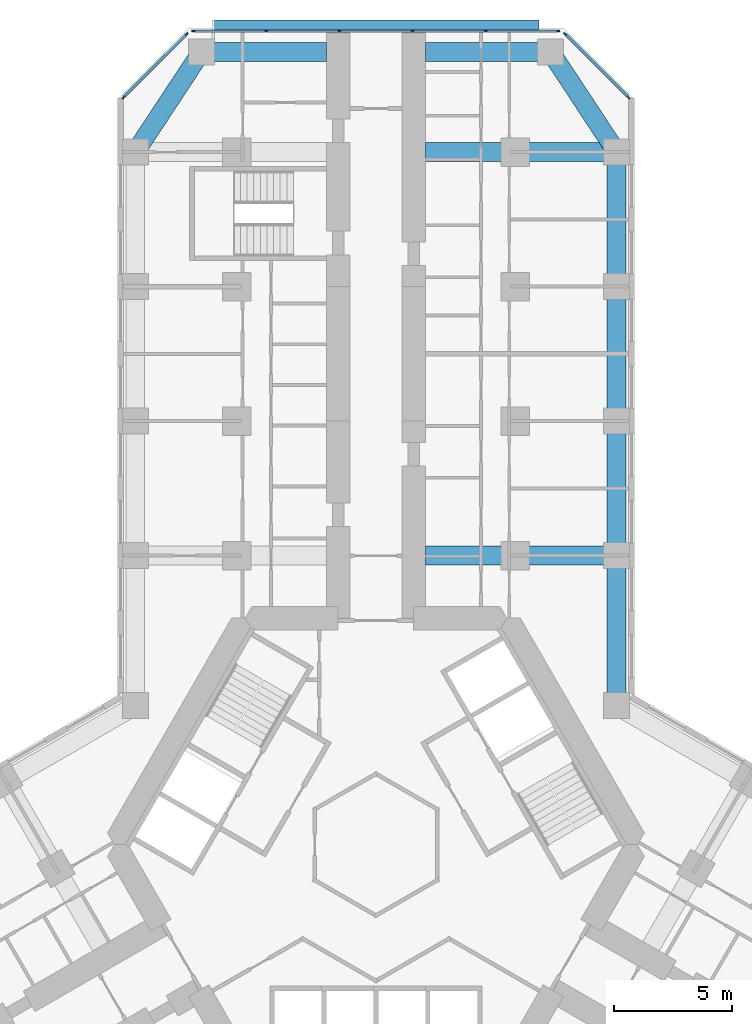
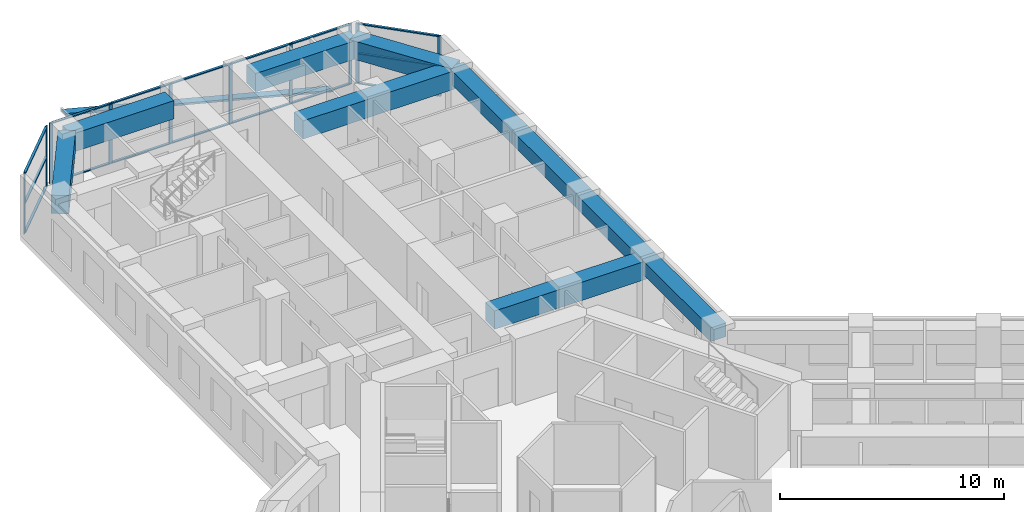
# One storey, part 7 of 21: 27 members, 10 beams, 3 elements without a shape of their own.
"""IFC4 building model written with IfcOpenShell, lengths in metres."""

import ifcopenshell
import ifcopenshell.guid

model = None  # the IFC model being written
_history = None  # IfcOwnerHistory: only IFC2X3 demands one
_inside = {}  # id of a spatial element -> (the spatial element, [elements in it])
_under = {}  # id of a project, library or spatial element -> (it, [spatial elements below it])
_declared = {}  # id of a project -> (the project, [libraries it declares])
_typed = {}  # id of a type object -> (the type object, [elements of that type])
_made_of = {}  # id of a material, layer set ... -> (it, [elements and type objects made of it])


def new_model(schema):
    """Start an empty IFC model of exactly this schema.

    Asked for "IFC4X3", IfcOpenShell would pick the latest addendum, in which some entities
    have other attributes; the version numbers below select the first issue.
    IFC2X3 requires an IfcOwnerHistory on every rooted entity: one is made here for all.
    """
    global model, _history
    if schema == "IFC4X3":
        model = ifcopenshell.file(schema_version=(4, 3, 0, 0))
    else:
        model = ifcopenshell.file(schema=schema)
    _inside.clear()
    _under.clear()
    _declared.clear()
    _typed.clear()
    _made_of.clear()
    _history = None
    if model.schema == "IFC2X3":
        org = make("IfcOrganization", Name="unknown")
        user = make(
            "IfcPersonAndOrganization",
            ThePerson=make("IfcPerson", FamilyName="unknown"),
            TheOrganization=org,
        )
        app = make(
            "IfcApplication",
            ApplicationDeveloper=org,
            Version="unknown",
            ApplicationFullName="unknown",
            ApplicationIdentifier="unknown",
        )
        _history = make(
            "IfcOwnerHistory",
            OwningUser=user,
            OwningApplication=app,
            ChangeAction="ADDED",
            CreationDate=0,
        )
    return model


def make(cls, **values):
    """One entity of the class cls with the attributes given. An attribute that is None is left unset."""
    return model.create_entity(
        cls, **{name: value for name, value in values.items() if value is not None}
    )


def rooted(cls, **values):
    """An entity with a GlobalId (a new one), such as an element, a storey or a relation."""
    return make(cls, GlobalId=ifcopenshell.guid.new(), OwnerHistory=_history, **values)


def si_unit(unit_type, name, prefix=None):
    """IfcSIUnit, for example si_unit("LENGTHUNIT", "METRE", prefix="MILLI")."""
    return make("IfcSIUnit", UnitType=unit_type, Prefix=prefix, Name=name)


def assignment(units):
    """IfcUnitAssignment: the units of a project."""
    return None if units is None else make("IfcUnitAssignment", Units=units)


def point(xyz):
    """IfcCartesianPoint."""
    return None if xyz is None else make("IfcCartesianPoint", Coordinates=xyz)


def direction(xyz):
    """IfcDirection."""
    return None if xyz is None else make("IfcDirection", DirectionRatios=xyz)


def frame(location, z_axis=None, x_axis=None):
    """IfcAxis2Placement3D, a coordinate frame: its origin and axes. An axis left out is left unset."""
    return make(
        "IfcAxis2Placement3D",
        Location=point(location),
        Axis=direction(z_axis),
        RefDirection=direction(x_axis),
    )


def frame_2d(location, x_axis=None):
    """IfcAxis2Placement2D, a coordinate frame in the plane: its origin and x axis."""
    return make(
        "IfcAxis2Placement2D", Location=point(location), RefDirection=direction(x_axis)
    )


def origin():
    """The frame at (0, 0, 0) with its axes left unset."""
    return frame((0.0, 0.0, 0.0))


def origin_2d():
    """The frame at (0, 0) in the plane with its x axis left unset."""
    return frame_2d((0.0, 0.0))


def place(relative_to, where):
    """IfcLocalPlacement: puts the frame where relative to a parent placement (None: the world)."""
    return make(
        "IfcLocalPlacement", PlacementRelTo=relative_to, RelativePlacement=where
    )


def context(
    kind, dimensions, precision=None, world=None, true_north=None, identifier=None
):
    """IfcGeometricRepresentationContext, for example the 3D "Model" context."""
    return make(
        "IfcGeometricRepresentationContext",
        ContextIdentifier=identifier,
        ContextType=kind,
        CoordinateSpaceDimension=dimensions,
        Precision=precision,
        WorldCoordinateSystem=world,
        TrueNorth=true_north,
    )


def subcontext(parent, identifier, kind, view, scale=None):
    """IfcGeometricRepresentationSubContext, for example "Body" below "Model"."""
    return make(
        "IfcGeometricRepresentationSubContext",
        ContextIdentifier=identifier,
        ContextType=kind,
        ParentContext=parent,
        TargetScale=scale,
        TargetView=view,
    )


def project(units=None, contexts=None):
    """IfcProject with its units and contexts."""
    return rooted(
        "IfcProject",
        Name="project",
        RepresentationContexts=contexts,
        UnitsInContext=assignment(units),
    )


def spatial(cls, under=None, at=None, **own):
    """A site, building, storey or space (cls), placed at a placement, below another one or the project."""
    s = rooted(cls, ObjectPlacement=at, **own)
    if under is not None:
        _under.setdefault(under.id(), (under, []))[1].append(s)
    return s


def profile(cls, at=None, kind="AREA", **sizes):
    """A parametric profile (cls). Its sizes go by their IFC names, for example OverallWidth=200.0."""
    return make(cls, ProfileType=kind, Position=at, **sizes)


def rectangle(**sizes):
    """IfcRectangleProfileDef."""
    return profile("IfcRectangleProfileDef", **sizes)


def extrude(swept, where, along, depth):
    """IfcExtrudedAreaSolid: the profile swept, set in the frame where, extruded along a direction by depth."""
    return make(
        "IfcExtrudedAreaSolid",
        SweptArea=swept,
        Position=where,
        ExtrudedDirection=direction(along),
        Depth=depth,
    )


def shape(context_of_items, identifier, shape_type, items):
    """IfcShapeRepresentation: the items that make up one representation, for example the "Body"."""
    return make(
        "IfcShapeRepresentation",
        ContextOfItems=context_of_items,
        RepresentationIdentifier=identifier,
        RepresentationType=shape_type,
        Items=items,
    )


def material(Name=None, Category=None):
    """IfcMaterial."""
    return make("IfcMaterial", Name=Name, Category=Category)


def material_profile(
    of_material, cross_section, Name=None, Category=None, Priority=None
):
    """IfcMaterialProfile: a cross section and its material."""
    return make(
        "IfcMaterialProfile",
        Name=Name,
        Material=of_material,
        Profile=cross_section,
        Priority=Priority,
        Category=Category,
    )


def profile_set(profiles, Name=None, composite=None):
    """IfcMaterialProfileSet."""
    return make(
        "IfcMaterialProfileSet",
        Name=Name,
        MaterialProfiles=profiles,
        CompositeProfile=composite,
    )


def made_of(thing, what):
    """Note that an element or type object is made of a material, layer set ...; save() writes the relation."""
    if what is not None:
        _made_of.setdefault(what.id(), (what, []))[1].append(thing)
    return thing


def type_object(cls, material=None, **own):
    """A type object (cls), such as IfcWallType, which elements share."""
    return made_of(rooted(cls, **own), material)


def element(
    cls,
    number,
    at=None,
    inside=None,
    cuts=None,
    type_object=None,
    material=None,
    context=None,
    identifier="Body",
    shape_type=None,
    held_by="IfcProductDefinitionShape",
    body=None,
    shapes=None,
    **own,
):
    """One element of the class cls, such as IfcWall. Its Tag is "e" and its number.

    at: its placement. inside: the storey or other place that contains it. cuts: it is an
    opening in that element (IfcRelVoidsElement). A single representation is given by context,
    identifier, shape_type and body (its items); several are given by shapes. held_by: the class
    of the entity that holds the representations. save() writes the other relations.
    """
    e = rooted(cls, Tag="e%d" % number, ObjectPlacement=at, **own)
    if body is not None:
        shapes = [shape(context, identifier, shape_type, body)]
    if shapes is not None:
        e.Representation = make(held_by, Representations=shapes)
    if inside is not None:
        _inside.setdefault(inside.id(), (inside, []))[1].append(e)
    if cuts is not None:
        rooted(
            "IfcRelVoidsElement", RelatingBuildingElement=cuts, RelatedOpeningElement=e
        )
    if type_object is not None:
        _typed.setdefault(type_object.id(), (type_object, []))[1].append(e)
    return made_of(e, material)


def aggregate(whole, parts):
    """IfcRelAggregates: a whole, such as a stair, and the parts it consists of."""
    return rooted("IfcRelAggregates", RelatingObject=whole, RelatedObjects=parts)


def save(model, path):
    """Write the relations noted so far, then the file.

    IfcRelAggregates (storeys below a building ...), IfcRelContainedInSpatialStructure (elements
    in a storey), IfcRelDefinesByType, IfcRelAssociatesMaterial and IfcRelDeclares: one each for
    every whole, place, type object, material and project.
    """
    for whole, parts in _under.values():
        aggregate(whole, parts)
    for where, things in _inside.values():
        rooted(
            "IfcRelContainedInSpatialStructure",
            RelatedElements=things,
            RelatingStructure=where,
        )
    for kind, things in _typed.values():
        rooted("IfcRelDefinesByType", RelatedObjects=things, RelatingType=kind)
    for what, things in _made_of.values():
        rooted("IfcRelAssociatesMaterial", RelatedObjects=things, RelatingMaterial=what)
    for by, libraries in _declared.values():
        rooted("IfcRelDeclares", RelatingContext=by, RelatedDefinitions=libraries)
    model.write(path)


model = new_model("IFC4")

# Units and contexts
model_context = context("Model", 3, precision=1e-05, world=origin(), true_north=direction((0.0, 1.0)))
body_context = subcontext(model_context, "Body", "Model", "MODEL_VIEW")
ifc_project = project(units=[si_unit("LENGTHUNIT", "METRE"), si_unit("AREAUNIT", "SQUARE_METRE"), si_unit("VOLUMEUNIT", "CUBIC_METRE"), si_unit("PLANEANGLEUNIT", "RADIAN"), si_unit("MASSUNIT", "GRAM", prefix="KILO")], contexts=[model_context])

# Site, building, storey
site_placement = place(None, origin())
site = spatial("IfcSite", under=ifc_project, at=site_placement, CompositionType="ELEMENT")
building_placement = place(site_placement, origin())
building = spatial("IfcBuilding", under=site, at=building_placement, Name="Kosmar Iwan School Tower", CompositionType="ELEMENT")
storey_placement = place(building_placement, frame((0.0, 0.0, 28.800048828125)))
storey = spatial("IfcBuildingStorey", under=building, at=storey_placement, Name="L06", CompositionType="ELEMENT", Elevation=28.800048828125)

# Beams
ifc_material_1 = material(Name="Concrete C50/60", Category="concrete")
ifc_material_profile_1 = material_profile(ifc_material_1, rectangle(XDim=0.800048828125, YDim=0.75, at=origin_2d()), Name="RC 800x750 + HD 400x634")
ifc_profile_set_1 = profile_set([ifc_material_profile_1], Name="Concrete C50/60")
beam_type_1 = type_object("IfcBeamType", Name="Composite edge beam 800x750 HD 400x634", PredefinedType="BEAM", material=ifc_profile_set_1)
beam_1_placement = place(storey_placement, frame((10.199951171875, 5.888916015625, 2.925048828125), z_axis=(0.0, 1.0, 0.0), x_axis=(-1.0, 0.0, 0.0)))
element("IfcBeam", 1, at=beam_1_placement, inside=storey, type_object=beam_type_1, Name="Edge beam AR1", PredefinedType="BEAM", context=body_context, shape_type="SweptSolid", body=[
    extrude(rectangle(XDim=0.800048828125, YDim=0.75, at=origin_2d()), origin(), (0.0, 0.0, 1.0), 6.361083984375),
])
for number, where, z_axis, x_axis, name in (
    (2, (10.199951171875, 12.25, 2.925048828125), (0.0, 1.0, 0.0), (-1.0, 0.0, 0.0), "Edge beam AR2"),
    (3, (10.199951171875, 17.949951171875, 2.925048828125), (0.0, 1.0, 0.0), (-1.0, 0.0, 0.0), "Edge beam AR3"),
):
    element("IfcBeam", number, at=place(storey_placement, frame(where, z_axis=z_axis, x_axis=x_axis)), inside=storey, type_object=beam_type_1, Name=name, PredefinedType="BEAM", context=body_context, shape_type="SweptSolid", body=[
        extrude(rectangle(XDim=0.800048828125, YDim=0.75, at=origin_2d()), origin(), (0.0, 0.0, 1.0), 5.699951171875),
    ])
beam_2_placement = place(storey_placement, frame((10.199951171875, 23.64990234375, 2.925048828125), z_axis=(0.0, 1.0, 0.0), x_axis=(-1.0, 0.0, 0.0)))
element("IfcBeam", 4, at=beam_2_placement, inside=storey, type_object=beam_type_1, Name="Edge beam AR4", PredefinedType="BEAM", context=body_context, shape_type="SweptSolid", body=[
    extrude(rectangle(XDim=0.800048828125, YDim=0.75, at=origin_2d()), origin(), (0.0, 0.0, 1.0), 5.7001953125),
])
ifc_material_2 = material(Name="Concrete C50/60", Category="concrete")
ifc_material_profile_2 = material_profile(ifc_material_2, rectangle(XDim=0.800048828125, YDim=1.0, at=origin_2d()), Name="RC 800x1000 + HD 400x347")
ifc_profile_set_2 = profile_set([ifc_material_profile_2], Name="Concrete C50/60")
beam_type_2 = type_object("IfcBeamType", Name="Composite tip beam 800x1000 HD 400x347", PredefinedType="BEAM", material=ifc_profile_set_2)
beam_3_placement = place(storey_placement, frame((-10.199951171875, 29.35009765625, 2.800048828125), z_axis=(0.550164383043, 0.835056376319, 0.0), x_axis=(-0.835056376319, 0.550164383043, 0.0)))
element("IfcBeam", 5, at=beam_3_placement, inside=storey, type_object=beam_type_2, Name="Tip beam AL", PredefinedType="BEAM", context=body_context, shape_type="SweptSolid", body=[
    extrude(rectangle(XDim=0.800048828125, YDim=1.0, at=origin_2d()), origin(), (0.0, 0.0, 1.0), 5.08935546875),
])
beam_4_placement = place(storey_placement, frame((-7.39990234375, 33.60009765625, 2.800048828125), z_axis=(1.0, 0.0, 0.0), x_axis=(0.0, 1.0, 0.0)))
element("IfcBeam", 6, at=beam_4_placement, inside=storey, type_object=beam_type_2, Name="Tip beam AL to corridor wall", PredefinedType="BEAM", context=body_context, shape_type="SweptSolid", body=[
    extrude(rectangle(XDim=0.800048828125, YDim=1.0, at=origin_2d()), origin(), (0.0, 0.0, 1.0), 5.2998046875),
])
beam_5_placement = place(storey_placement, frame((10.199951171875, 29.35009765625, 2.800048828125), z_axis=(-0.550164383043, 0.835056376319, 0.0), x_axis=(-0.835056376319, -0.550164383043, 0.0)))
element("IfcBeam", 7, at=beam_5_placement, inside=storey, type_object=beam_type_2, Name="Tip beam AR", PredefinedType="BEAM", context=body_context, shape_type="SweptSolid", body=[
    extrude(rectangle(XDim=0.800048828125, YDim=1.0, at=origin_2d()), origin(), (0.0, 0.0, 1.0), 5.08935546875),
])
beam_6_placement = place(storey_placement, frame((7.39990234375, 33.60009765625, 2.800048828125), z_axis=(-1.0, 0.0, 0.0), x_axis=(0.0, -1.0, 0.0)))
element("IfcBeam", 8, at=beam_6_placement, inside=storey, type_object=beam_type_2, Name="Tip beam AR to corridor wall", PredefinedType="BEAM", context=body_context, shape_type="SweptSolid", body=[
    extrude(rectangle(XDim=0.800048828125, YDim=1.0, at=origin_2d()), origin(), (0.0, 0.0, 1.0), 5.2998046875),
])
ifc_material_3 = material(Name="Concrete C50/60", Category="concrete")
ifc_material_profile_3 = material_profile(ifc_material_3, rectangle(XDim=0.800048828125, YDim=1.0, at=origin_2d()), Name="RC 800x1000 + HD 400x634")
ifc_profile_set_3 = profile_set([ifc_material_profile_3], Name="Concrete C50/60")
beam_type_3 = type_object("IfcBeamType", Name="Composite transverse beam 800x1000 HD 400x634", PredefinedType="BEAM", material=ifc_profile_set_3)
for number, where, z_axis, x_axis, name in (
    (9, (10.199951171875, 12.25, 2.800048828125), (-1.0, 0.0, 0.0), (0.0, -1.0, 0.0), "Transverse beam AR1"),
    (10, (10.199951171875, 29.35009765625, 2.800048828125), (-1.0, 0.0, 0.0), (0.0, -1.0, 0.0), "Transverse beam AR4"),
):
    element("IfcBeam", number, at=place(storey_placement, frame(where, z_axis=z_axis, x_axis=x_axis)), inside=storey, type_object=beam_type_3, Name=name, PredefinedType="BEAM", context=body_context, shape_type="SweptSolid", body=[
        extrude(rectangle(XDim=0.800048828125, YDim=1.0, at=origin_2d()), origin(), (0.0, 0.0, 1.0), 8.099853515625),
    ])

# Member
ifc_material_4 = material(Name="Black anodised aluminium", Category="aluminium")
ifc_material_profile_4 = material_profile(ifc_material_4, rectangle(XDim=0.10009765625, YDim=0.39990234375, at=origin_2d()), Name="FIN 100x400")
ifc_profile_set_4 = profile_set([ifc_material_profile_4], Name="Black anodised aluminium")
member_type_1 = type_object("IfcMemberType", Name="Diagonal fin 100x400", PredefinedType="USERDEFINED", material=ifc_profile_set_4)
member_1_placement = place(storey_placement, frame((6.898193359375, 34.75, -0.150146484375), z_axis=(-0.968452174919, 0.0, 0.249199488152), x_axis=(0.249199488152, 0.0, 0.968452174919)))
element("IfcMember", 11, at=member_1_placement, inside=storey, type_object=member_type_1, Name="Diagonal fin L06-F08", ObjectType="FIN", PredefinedType="USERDEFINED", context=body_context, shape_type="SweptSolid", body=[
    extrude(rectangle(XDim=0.10009765625, YDim=0.39990234375, at=origin_2d()), origin(), (0.0, 0.0, 1.0), 14.245849609375),
])

# Curtain wall, members
ifc_material_5 = material(Name="Dark glass in black aluminium frame", Category="aluminium")
curtain_wall_type_1 = type_object("IfcCurtainWallType", Name="Chamfer curtain wall dark glass", PredefinedType="USERDEFINED", material=ifc_material_5)
curtain_wall_1_placement = place(storey_placement, origin())
curtain_wall_1 = element("IfcCurtainWall", 12, at=curtain_wall_1_placement, inside=storey, type_object=curtain_wall_type_1, Name="Curtain wall L06-F07", ObjectType="FACETED CURTAIN WALL", PredefinedType="USERDEFINED")
ifc_material_6 = material(Name="Black anodised aluminium", Category="aluminium")
ifc_material_profile_5 = material_profile(ifc_material_6, rectangle(XDim=0.06005859375, YDim=0.159912109375, at=origin_2d()), Name="MULLION 60x160")
ifc_profile_set_5 = profile_set([ifc_material_profile_5], Name="Black anodised aluminium")
member_type_2 = type_object("IfcMemberType", Name="Mullion 60x160", PredefinedType="MULLION", material=ifc_profile_set_5)
member_2_placement = place(storey_placement, frame((10.69775390625, 31.675537109375, 0.0), z_axis=(0.0, 0.0, 1.0), x_axis=(-0.707106781187, -0.707106781187, 0.0)))
member_2 = element("IfcMember", 13, at=member_2_placement, type_object=member_type_2, Name="CW2 mullion 1", PredefinedType="MULLION", context=body_context, shape_type="SweptSolid", body=[
    extrude(rectangle(XDim=0.06005859375, YDim=0.159912109375, at=origin_2d()), origin(), (0.0, 0.0, 1.0), 3.300048828125),
])
member_3_placement = place(storey_placement, frame((8.025390625, 34.34765625, 0.0), z_axis=(0.0, 0.0, 1.0), x_axis=(-0.707106781187, -0.707106781187, 0.0)))
member_3 = element("IfcMember", 14, at=member_3_placement, type_object=member_type_2, Name="CW2 mullion 2", PredefinedType="MULLION", context=body_context, shape_type="SweptSolid", body=[
    extrude(rectangle(XDim=0.06005859375, YDim=0.159912109375, at=origin_2d()), origin(), (0.0, 0.0, 1.0), 3.300048828125),
])

ifc_material_7 = material(Name="Dark glass in black aluminium frame", Category="aluminium")
curtain_wall_type_2 = type_object("IfcCurtainWallType", Name="Tower curtain wall dark glass", PredefinedType="USERDEFINED", material=ifc_material_7)
curtain_wall_2_placement = place(storey_placement, origin())
curtain_wall_2 = element("IfcCurtainWall", 15, at=curtain_wall_2_placement, inside=storey, type_object=curtain_wall_type_2, Name="Curtain wall L06-F08", ObjectType="UNITISED CURTAIN WALL", PredefinedType="USERDEFINED")
member_4_placement = place(storey_placement, frame((7.71826171875, 34.47509765625, 0.0), z_axis=(0.0, 0.0, 1.0), x_axis=(0.0, -1.0, 0.0)))
member_4 = element("IfcMember", 16, at=member_4_placement, type_object=member_type_2, Name="CW1 mullion 1", PredefinedType="MULLION", context=body_context, shape_type="SweptSolid", body=[
    extrude(rectangle(XDim=0.06005859375, YDim=0.159912109375, at=origin_2d()), origin(), (0.0, 0.0, 1.0), 3.300048828125),
])
member_5_placement = place(storey_placement, frame((4.64892578125, 34.47509765625, 0.0), z_axis=(0.0, 0.0, 1.0), x_axis=(0.0, -1.0, 0.0)))
member_5 = element("IfcMember", 17, at=member_5_placement, type_object=member_type_2, Name="CW1 mullion 2", PredefinedType="MULLION", context=body_context, shape_type="SweptSolid", body=[
    extrude(rectangle(XDim=0.06005859375, YDim=0.159912109375, at=origin_2d()), origin(), (0.0, 0.0, 1.0), 3.300048828125),
])
member_6_placement = place(storey_placement, frame((1.549560546875, 34.47509765625, 0.0), z_axis=(0.0, 0.0, 1.0), x_axis=(0.0, -1.0, 0.0)))
member_6 = element("IfcMember", 18, at=member_6_placement, type_object=member_type_2, Name="CW1 mullion 3", PredefinedType="MULLION", context=body_context, shape_type="SweptSolid", body=[
    extrude(rectangle(XDim=0.06005859375, YDim=0.159912109375, at=origin_2d()), origin(), (0.0, 0.0, 1.0), 3.300048828125),
])
member_7_placement = place(storey_placement, frame((-1.549560546875, 34.47509765625, 0.0), z_axis=(0.0, 0.0, 1.0), x_axis=(0.0, -1.0, 0.0)))
member_7 = element("IfcMember", 19, at=member_7_placement, type_object=member_type_2, Name="CW1 mullion 4", PredefinedType="MULLION", context=body_context, shape_type="SweptSolid", body=[
    extrude(rectangle(XDim=0.06005859375, YDim=0.159912109375, at=origin_2d()), origin(), (0.0, 0.0, 1.0), 3.300048828125),
])
member_8_placement = place(storey_placement, frame((-4.64892578125, 34.47509765625, 0.0), z_axis=(0.0, 0.0, 1.0), x_axis=(0.0, -1.0, 0.0)))
member_8 = element("IfcMember", 20, at=member_8_placement, type_object=member_type_2, Name="CW1 mullion 5", PredefinedType="MULLION", context=body_context, shape_type="SweptSolid", body=[
    extrude(rectangle(XDim=0.06005859375, YDim=0.159912109375, at=origin_2d()), origin(), (0.0, 0.0, 1.0), 3.300048828125),
])
member_9_placement = place(storey_placement, frame((-7.71826171875, 34.47509765625, 0.0), z_axis=(0.0, 0.0, 1.0), x_axis=(0.0, -1.0, 0.0)))
member_9 = element("IfcMember", 21, at=member_9_placement, type_object=member_type_2, Name="CW1 mullion 6", PredefinedType="MULLION", context=body_context, shape_type="SweptSolid", body=[
    extrude(rectangle(XDim=0.06005859375, YDim=0.159912109375, at=origin_2d()), origin(), (0.0, 0.0, 1.0), 3.300048828125),
])

curtain_wall_3_placement = place(storey_placement, origin())
curtain_wall_3 = element("IfcCurtainWall", 22, at=curtain_wall_3_placement, inside=storey, type_object=curtain_wall_type_1, Name="Curtain wall L06-F09", ObjectType="FACETED CURTAIN WALL", PredefinedType="USERDEFINED")
member_10_placement = place(storey_placement, frame((-8.025390625, 34.34765625, 0.0), z_axis=(0.0, 0.0, 1.0), x_axis=(0.707106781187, -0.707106781187, 0.0)))
member_10 = element("IfcMember", 23, at=member_10_placement, type_object=member_type_2, Name="CW2 mullion 1", PredefinedType="MULLION", context=body_context, shape_type="SweptSolid", body=[
    extrude(rectangle(XDim=0.06005859375, YDim=0.159912109375, at=origin_2d()), origin(), (0.0, 0.0, 1.0), 3.300048828125),
])
member_11_placement = place(storey_placement, frame((-10.69775390625, 31.675537109375, 0.0), z_axis=(0.0, 0.0, 1.0), x_axis=(0.707106781187, -0.707106781187, 0.0)))
member_11 = element("IfcMember", 24, at=member_11_placement, type_object=member_type_2, Name="CW2 mullion 2", PredefinedType="MULLION", context=body_context, shape_type="SweptSolid", body=[
    extrude(rectangle(XDim=0.06005859375, YDim=0.159912109375, at=origin_2d()), origin(), (0.0, 0.0, 1.0), 3.300048828125),
])

# Member
ifc_material_8 = material(Name="Black anodised aluminium", Category="aluminium")
ifc_material_profile_6 = material_profile(ifc_material_8, rectangle(XDim=0.1201171875, YDim=0.06005859375, at=origin_2d()), Name="TRANSOM 60x120")
ifc_profile_set_6 = profile_set([ifc_material_profile_6], Name="Black anodised aluminium")
member_type_3 = type_object("IfcMemberType", Name="Transom 60x120", PredefinedType="USERDEFINED", material=ifc_profile_set_6)
member_12_placement = place(storey_placement, frame((10.676513671875, 31.69677734375, 0.030029296875), z_axis=(-0.707139603466, 0.707073957383, 0.0), x_axis=(-0.707073957383, -0.707139603466, 0.0)))
member_12 = element("IfcMember", 25, at=member_12_placement, type_object=member_type_3, Name="CW2 transom 1.1", ObjectType="TRANSOM", PredefinedType="USERDEFINED", context=body_context, shape_type="SweptSolid", body=[
    extrude(rectangle(XDim=0.1201171875, YDim=0.06005859375, at=origin_2d()), origin(), (0.0, 0.0, 1.0), 3.718994140625),
])

member_13_placement = place(storey_placement, frame((10.676513671875, 31.69677734375, 1.64990234375), z_axis=(-0.707139603466, 0.707073957383, 0.0), x_axis=(-0.707073957383, -0.707139603466, 0.0)))
member_13 = element("IfcMember", 26, at=member_13_placement, type_object=member_type_3, Name="CW2 transom 1.2", ObjectType="TRANSOM", PredefinedType="USERDEFINED", context=body_context, shape_type="SweptSolid", body=[
    extrude(rectangle(XDim=0.1201171875, YDim=0.06005859375, at=origin_2d()), origin(), (0.0, 0.0, 1.0), 3.718994140625),
])

member_14_placement = place(storey_placement, frame((10.676513671875, 31.69677734375, 3.27001953125), z_axis=(-0.707139603466, 0.707073957383, 0.0), x_axis=(-0.707073957383, -0.707139603466, 0.0)))
member_14 = element("IfcMember", 27, at=member_14_placement, type_object=member_type_3, Name="CW2 transom 1.3", ObjectType="TRANSOM", PredefinedType="USERDEFINED", context=body_context, shape_type="SweptSolid", body=[
    extrude(rectangle(XDim=0.1201171875, YDim=0.06005859375, at=origin_2d()), origin(), (0.0, 0.0, 1.0), 3.718994140625),
])

aggregate(curtain_wall_1, [member_2, member_3, member_12, member_13, member_14])

member_15_placement = place(storey_placement, frame((7.688232421875, 34.47509765625, 0.030029296875), z_axis=(-1.0, 0.0, 0.0), x_axis=(0.0, -1.0, 0.0)))
member_15 = element("IfcMember", 28, at=member_15_placement, type_object=member_type_3, Name="CW1 transom 1.1", ObjectType="TRANSOM", PredefinedType="USERDEFINED", context=body_context, shape_type="SweptSolid", body=[
    extrude(rectangle(XDim=0.1201171875, YDim=0.06005859375, at=origin_2d()), origin(), (0.0, 0.0, 1.0), 3.00927734375),
])

member_16_placement = place(storey_placement, frame((7.688232421875, 34.47509765625, 3.27001953125), z_axis=(-1.0, 0.0, 0.0), x_axis=(0.0, -1.0, 0.0)))
member_16 = element("IfcMember", 29, at=member_16_placement, type_object=member_type_3, Name="CW1 transom 1.2", ObjectType="TRANSOM", PredefinedType="USERDEFINED", context=body_context, shape_type="SweptSolid", body=[
    extrude(rectangle(XDim=0.1201171875, YDim=0.06005859375, at=origin_2d()), origin(), (0.0, 0.0, 1.0), 3.00927734375),
])

member_17_placement = place(storey_placement, frame((4.618896484375, 34.47509765625, 0.030029296875), z_axis=(-1.0, 0.0, 0.0), x_axis=(0.0, -1.0, 0.0)))
member_17 = element("IfcMember", 30, at=member_17_placement, type_object=member_type_3, Name="CW1 transom 2.1", ObjectType="TRANSOM", PredefinedType="USERDEFINED", context=body_context, shape_type="SweptSolid", body=[
    extrude(rectangle(XDim=0.1201171875, YDim=0.06005859375, at=origin_2d()), origin(), (0.0, 0.0, 1.0), 3.039306640625),
])

member_18_placement = place(storey_placement, frame((4.618896484375, 34.47509765625, 3.27001953125), z_axis=(-1.0, 0.0, 0.0), x_axis=(0.0, -1.0, 0.0)))
member_18 = element("IfcMember", 31, at=member_18_placement, type_object=member_type_3, Name="CW1 transom 2.2", ObjectType="TRANSOM", PredefinedType="USERDEFINED", context=body_context, shape_type="SweptSolid", body=[
    extrude(rectangle(XDim=0.1201171875, YDim=0.06005859375, at=origin_2d()), origin(), (0.0, 0.0, 1.0), 3.039306640625),
])

member_19_placement = place(storey_placement, frame((1.51953125, 34.47509765625, 0.030029296875), z_axis=(-1.0, 0.0, 0.0), x_axis=(0.0, -1.0, 0.0)))
member_19 = element("IfcMember", 32, at=member_19_placement, type_object=member_type_3, Name="CW1 transom 3.1", ObjectType="TRANSOM", PredefinedType="USERDEFINED", context=body_context, shape_type="SweptSolid", body=[
    extrude(rectangle(XDim=0.1201171875, YDim=0.06005859375, at=origin_2d()), origin(), (0.0, 0.0, 1.0), 3.0390625),
])

member_20_placement = place(storey_placement, frame((1.51953125, 34.47509765625, 3.27001953125), z_axis=(-1.0, 0.0, 0.0), x_axis=(0.0, -1.0, 0.0)))
member_20 = element("IfcMember", 33, at=member_20_placement, type_object=member_type_3, Name="CW1 transom 3.2", ObjectType="TRANSOM", PredefinedType="USERDEFINED", context=body_context, shape_type="SweptSolid", body=[
    extrude(rectangle(XDim=0.1201171875, YDim=0.06005859375, at=origin_2d()), origin(), (0.0, 0.0, 1.0), 3.0390625),
])

member_21_placement = place(storey_placement, frame((-1.57958984375, 34.47509765625, 0.030029296875), z_axis=(-1.0, 0.0, 0.0), x_axis=(0.0, -1.0, 0.0)))
member_21 = element("IfcMember", 34, at=member_21_placement, type_object=member_type_3, Name="CW1 transom 4.1", ObjectType="TRANSOM", PredefinedType="USERDEFINED", context=body_context, shape_type="SweptSolid", body=[
    extrude(rectangle(XDim=0.1201171875, YDim=0.06005859375, at=origin_2d()), origin(), (0.0, 0.0, 1.0), 3.039306640625),
])

member_22_placement = place(storey_placement, frame((-1.57958984375, 34.47509765625, 3.27001953125), z_axis=(-1.0, 0.0, 0.0), x_axis=(0.0, -1.0, 0.0)))
member_22 = element("IfcMember", 35, at=member_22_placement, type_object=member_type_3, Name="CW1 transom 4.2", ObjectType="TRANSOM", PredefinedType="USERDEFINED", context=body_context, shape_type="SweptSolid", body=[
    extrude(rectangle(XDim=0.1201171875, YDim=0.06005859375, at=origin_2d()), origin(), (0.0, 0.0, 1.0), 3.039306640625),
])

member_23_placement = place(storey_placement, frame((-4.678955078125, 34.47509765625, 0.030029296875), z_axis=(-1.0, 0.0, 0.0), x_axis=(0.0, -1.0, 0.0)))
member_23 = element("IfcMember", 36, at=member_23_placement, type_object=member_type_3, Name="CW1 transom 5.1", ObjectType="TRANSOM", PredefinedType="USERDEFINED", context=body_context, shape_type="SweptSolid", body=[
    extrude(rectangle(XDim=0.1201171875, YDim=0.06005859375, at=origin_2d()), origin(), (0.0, 0.0, 1.0), 3.00927734375),
])

member_24_placement = place(storey_placement, frame((-4.678955078125, 34.47509765625, 3.27001953125), z_axis=(-1.0, 0.0, 0.0), x_axis=(0.0, -1.0, 0.0)))
member_24 = element("IfcMember", 37, at=member_24_placement, type_object=member_type_3, Name="CW1 transom 5.2", ObjectType="TRANSOM", PredefinedType="USERDEFINED", context=body_context, shape_type="SweptSolid", body=[
    extrude(rectangle(XDim=0.1201171875, YDim=0.06005859375, at=origin_2d()), origin(), (0.0, 0.0, 1.0), 3.00927734375),
])

aggregate(curtain_wall_2, [member_4, member_5, member_6, member_7, member_8, member_9, member_15, member_16, member_17, member_18, member_19, member_20, member_21, member_22, member_23, member_24])

member_25_placement = place(storey_placement, frame((-8.046630859375, 34.326416015625, 0.030029296875), z_axis=(-0.707139603466, -0.707073957383, 0.0), x_axis=(0.707073957383, -0.707139603466, 0.0)))
member_25 = element("IfcMember", 38, at=member_25_placement, type_object=member_type_3, Name="CW2 transom 1.1", ObjectType="TRANSOM", PredefinedType="USERDEFINED", context=body_context, shape_type="SweptSolid", body=[
    extrude(rectangle(XDim=0.1201171875, YDim=0.06005859375, at=origin_2d()), origin(), (0.0, 0.0, 1.0), 3.718994140625),
])

member_26_placement = place(storey_placement, frame((-8.046630859375, 34.326416015625, 1.64990234375), z_axis=(-0.707139603466, -0.707073957383, 0.0), x_axis=(0.707073957383, -0.707139603466, 0.0)))
member_26 = element("IfcMember", 39, at=member_26_placement, type_object=member_type_3, Name="CW2 transom 1.2", ObjectType="TRANSOM", PredefinedType="USERDEFINED", context=body_context, shape_type="SweptSolid", body=[
    extrude(rectangle(XDim=0.1201171875, YDim=0.06005859375, at=origin_2d()), origin(), (0.0, 0.0, 1.0), 3.718994140625),
])

member_27_placement = place(storey_placement, frame((-8.046630859375, 34.326416015625, 3.27001953125), z_axis=(-0.707139603466, -0.707073957383, 0.0), x_axis=(0.707073957383, -0.707139603466, 0.0)))
member_27 = element("IfcMember", 40, at=member_27_placement, type_object=member_type_3, Name="CW2 transom 1.3", ObjectType="TRANSOM", PredefinedType="USERDEFINED", context=body_context, shape_type="SweptSolid", body=[
    extrude(rectangle(XDim=0.1201171875, YDim=0.06005859375, at=origin_2d()), origin(), (0.0, 0.0, 1.0), 3.718994140625),
])

aggregate(curtain_wall_3, [member_10, member_11, member_25, member_26, member_27])

save(model, "model.ifc")
